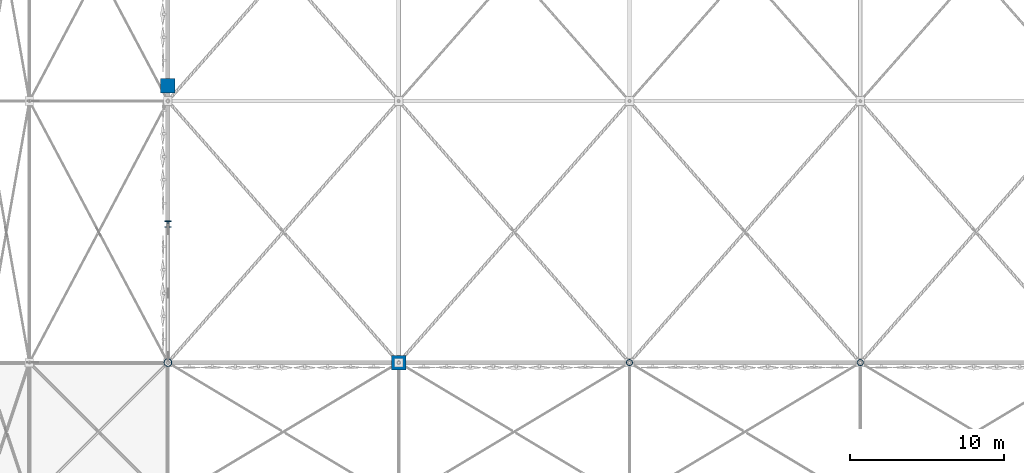
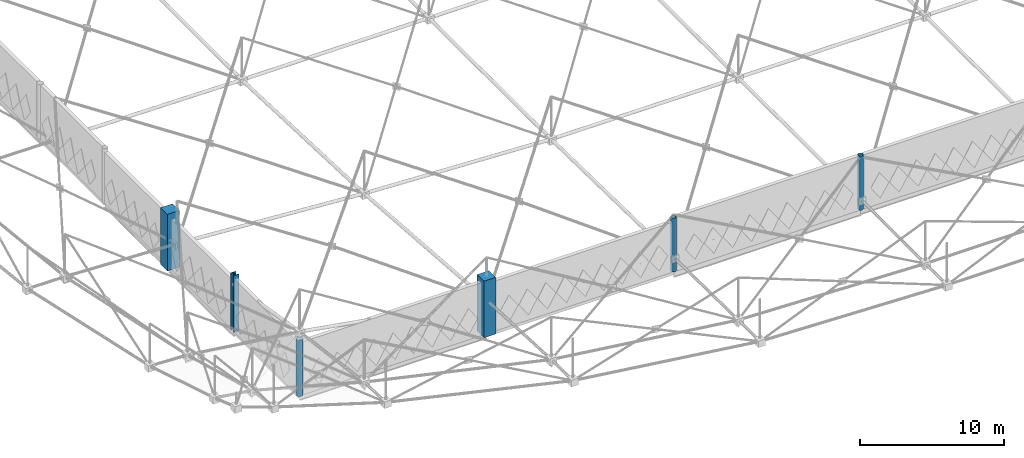
# One storey, part 1 of 224: 6 columns.
"""IFC4 building model written with IfcOpenShell, lengths in metres."""

from ifc_helpers import new_model, si_unit, direction, frame, origin, origin_2d, place, context, subcontext, project, spatial, rectangle, hollow_circle, i_section, extrude, material, material_profile, profile_set, type_object, element, save


model = new_model("IFC4")

# Units and contexts
model_context = context("Model", 3, precision=1e-05, world=origin(), true_north=direction((0.0, 1.0)))
body_context = subcontext(model_context, "Body", "Model", "MODEL_VIEW")
ifc_project = project(units=[si_unit("LENGTHUNIT", "METRE"), si_unit("AREAUNIT", "SQUARE_METRE"), si_unit("VOLUMEUNIT", "CUBIC_METRE"), si_unit("PLANEANGLEUNIT", "RADIAN"), si_unit("MASSUNIT", "GRAM", prefix="KILO")], contexts=[model_context])

# Site, building, storey
site_placement = place(None, origin())
site = spatial("IfcSite", under=ifc_project, at=site_placement, CompositionType="ELEMENT")
building_placement = place(site_placement, origin())
building = spatial("IfcBuilding", under=site, at=building_placement, Name="Qamarlyn Nura Convention Centre", CompositionType="ELEMENT")
storey_placement = place(building_placement, frame((0.0, 0.0, 10.800048828125)))
storey = spatial("IfcBuildingStorey", under=building, at=storey_placement, Name="L02", CompositionType="ELEMENT", Elevation=10.800048828125)

# Columns
ifc_material_1 = material(Name="Pearl-white PVDF steel ASTM A500 Grade C", Category="steel")
ifc_material_profile_1 = material_profile(ifc_material_1, hollow_circle(Radius=0.25390625, WallThickness=0.02001953125, at=origin_2d()), Name="CHS508X20")
ifc_profile_set_1 = profile_set([ifc_material_profile_1], Name="Pearl-white PVDF steel ASTM A500 Grade C")
column_type_1 = type_object("IfcColumnType", Name="COL-HALL-1", PredefinedType="COLUMN", material=ifc_profile_set_1)
column_1_placement = place(storey_placement, frame((0.0, 18.0, 0.0), z_axis=(0.0, 0.0, 1.0), x_axis=(1.0, 0.0, 0.0)))
element("IfcColumn", 1, at=column_1_placement, inside=storey, type_object=column_type_1, Name="L02 column 1/C", PredefinedType="COLUMN", context=body_context, shape_type="SweptSolid", body=[
    extrude(hollow_circle(Radius=0.25390625, WallThickness=0.02001953125, at=origin_2d()), origin(), (0.0, 0.0, 1.0), 4.800048828125),
])
ifc_material_2 = material(Name="Concrete C50/60", Category="concrete")
ifc_material_profile_2 = material_profile(ifc_material_2, rectangle(XDim=0.949951171875, YDim=0.949951171875, at=origin_2d()), Name="RC 950x950")
ifc_profile_set_2 = profile_set([ifc_material_profile_2], Name="Concrete C50/60")
column_type_2 = type_object("IfcColumnType", Name="COL-HALL-2", PredefinedType="COLUMN", material=ifc_profile_set_2)
for number, where, z_axis, x_axis, name in (
    (2, (0.0, 36.0, 0.0), (0.0, 0.0, 1.0), (1.0, 0.0, 0.0), "L02 column 1/E"),
    (3, (15.0, 18.0, 0.0), (0.0, 0.0, 1.0), (1.0, 0.0, 0.0), "L02 column 2/C"),
):
    element("IfcColumn", number, at=place(storey_placement, frame(where, z_axis=z_axis, x_axis=x_axis)), inside=storey, type_object=column_type_2, Name=name, PredefinedType="COLUMN", context=body_context, shape_type="SweptSolid", body=[
        extrude(rectangle(XDim=0.949951171875, YDim=0.949951171875, at=origin_2d()), origin(), (0.0, 0.0, 1.0), 4.800048828125),
    ])
ifc_material_3 = material(Name="Steel ASTM A992", Category="steel")
ifc_material_profile_3 = material_profile(ifc_material_3, i_section(OverallWidth=0.408935546875, OverallDepth=0.425048828125, WebThickness=0.030517578125, FlangeThickness=0.049072265625, FilletRadius=0.02001953125, at=origin_2d()), Name="W360X421")
ifc_profile_set_3 = profile_set([ifc_material_profile_3], Name="Steel ASTM A992")
column_type_3 = type_object("IfcColumnType", Name="COL-MEGA-1", PredefinedType="COLUMN", material=ifc_profile_set_3)
column_2_placement = place(storey_placement, frame((0.0, 27.0, 0.0), z_axis=(0.0, 0.0, 1.0), x_axis=(1.0, 0.0, 0.0)))
element("IfcColumn", 4, at=column_2_placement, inside=storey, type_object=column_type_3, Name="L02 column 1/D", PredefinedType="COLUMN", context=body_context, shape_type="SweptSolid", body=[
    extrude(i_section(OverallWidth=0.408935546875, OverallDepth=0.425048828125, WebThickness=0.030517578125, FlangeThickness=0.049072265625, FilletRadius=0.02001953125, at=origin_2d()), origin(), (0.0, 0.0, 1.0), 4.800048828125),
])
ifc_material_profile_4 = material_profile(ifc_material_1, hollow_circle(Radius=0.203125, WallThickness=0.01611328125, at=origin_2d()), Name="CHS406.4X16")
ifc_profile_set_4 = profile_set([ifc_material_profile_4], Name="Pearl-white PVDF steel ASTM A500 Grade C")
column_type_4 = type_object("IfcColumnType", Name="COL-TUBE-1", PredefinedType="COLUMN", material=ifc_profile_set_4)
for number, where, z_axis, x_axis, name in (
    (5, (30.0, 18.0, 0.0), (0.0, 0.0, 1.0), (1.0, 0.0, 0.0), "L02 column 3/C"),
    (6, (45.0, 18.0, 0.0), (0.0, 0.0, 1.0), (1.0, 0.0, 0.0), "L02 column 4/C"),
):
    element("IfcColumn", number, at=place(storey_placement, frame(where, z_axis=z_axis, x_axis=x_axis)), inside=storey, type_object=column_type_4, Name=name, PredefinedType="COLUMN", context=body_context, shape_type="SweptSolid", body=[
        extrude(hollow_circle(Radius=0.203125, WallThickness=0.01611328125, at=origin_2d()), origin(), (0.0, 0.0, 1.0), 4.58984375),
    ])

save(model, "model.ifc")
